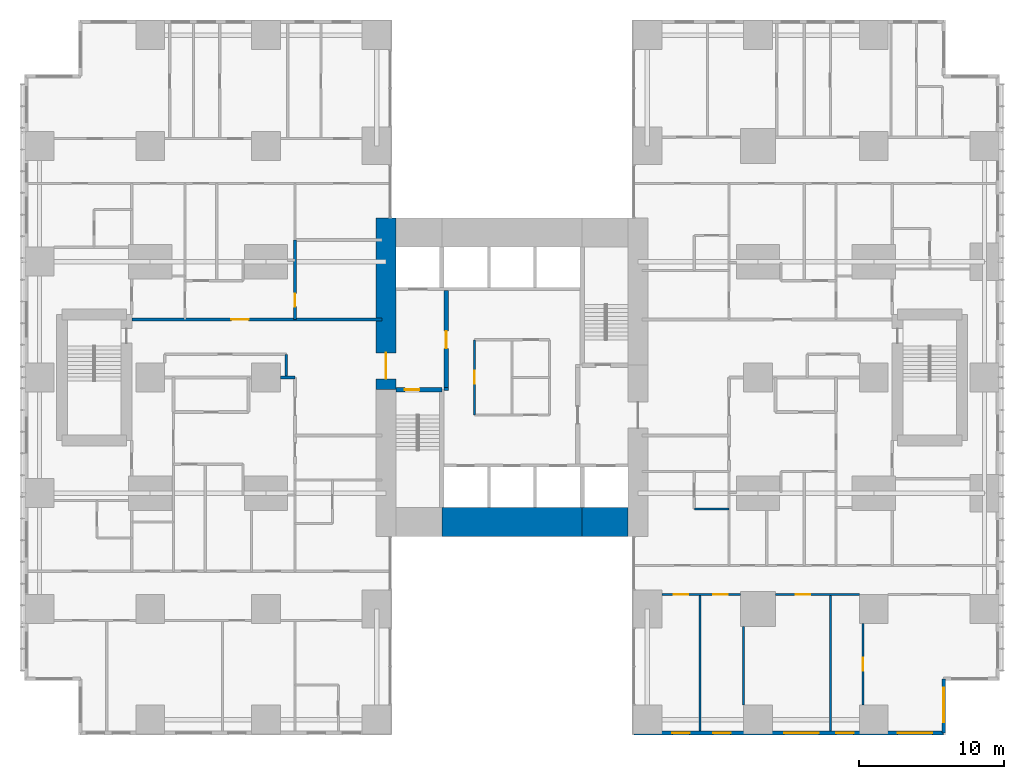
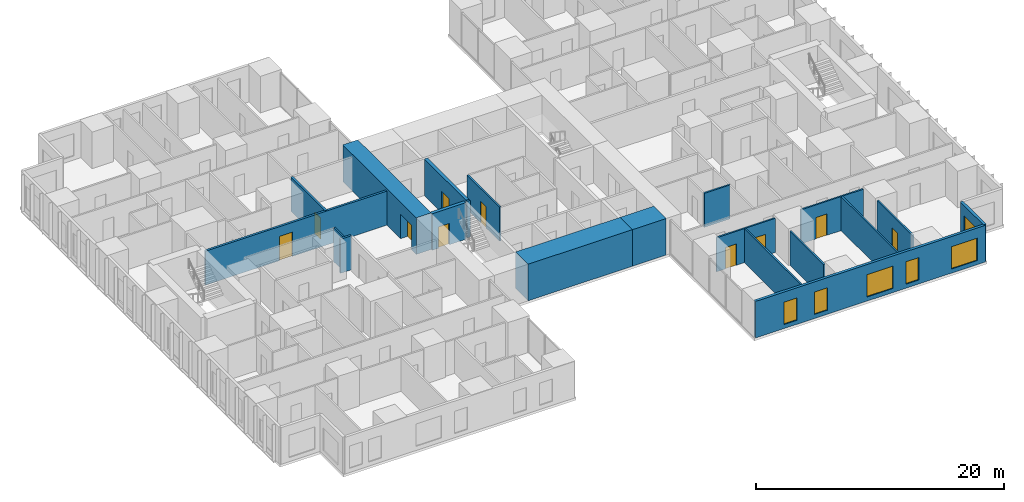
# One storey, part 14 of 21: 20 walls, 10 doors, 6 windows, 16 openings.
"""IFC4 building model written with IfcOpenShell, lengths in metres."""

from ifc_helpers import new_model, si_unit, direction, frame, frame_2d, origin, place, context, subcontext, project, spatial, rectangle, extrude, material, layer, layer_set, type_object, element, fill, save


model = new_model("IFC4")

# Units and contexts
model_context = context("Model", 3, precision=1e-05, world=origin(), true_north=direction((0.0, 1.0)))
body_context = subcontext(model_context, "Body", "Model", "MODEL_VIEW")
ifc_project = project(units=[si_unit("LENGTHUNIT", "METRE"), si_unit("AREAUNIT", "SQUARE_METRE"), si_unit("VOLUMEUNIT", "CUBIC_METRE"), si_unit("PLANEANGLEUNIT", "RADIAN"), si_unit("MASSUNIT", "GRAM", prefix="KILO")], contexts=[model_context])

# Site, building, storey
site_placement = place(None, origin())
site = spatial("IfcSite", under=ifc_project, at=site_placement, CompositionType="ELEMENT")
building_placement = place(site_placement, origin())
building = spatial("IfcBuilding", under=site, at=building_placement, Name="Cleftline Residences", CompositionType="ELEMENT")
storey_placement = place(building_placement, frame((0.0, 0.0, 161.0)))
storey = spatial("IfcBuildingStorey", under=building, at=storey_placement, Name="L42", CompositionType="ELEMENT", Elevation=161.0)

# Wall, opening, door
ifc_material_1 = material(Name="Concrete B70", Category="concrete")
ifc_layer_1 = layer(ifc_material_1, 1.39990234375)
ifc_layer_set_1 = layer_set([ifc_layer_1], Name="CORE WALL 1400")
wall_type_1 = type_object("IfcWallType", Name="CORE WALL 1400", PredefinedType="SHEAR", material=ifc_layer_set_1)
wall_1_placement = place(storey_placement, frame((24.300048828125, 23.14990234375, 0.0), z_axis=(0.0, 0.0, 1.0), x_axis=(0.0, 1.0, 0.0)))
wall_1 = element("IfcWall", 1, at=wall_1_placement, inside=storey, type_object=wall_type_1, Name="Core wall W", PredefinedType="SHEAR", context=body_context, shape_type="SweptSolid", body=[
    extrude(rectangle(XDim=11.85009765625, YDim=1.39990234375, at=frame_2d((5.925048828125, 0.0))), origin(), (0.0, 0.0, 1.0), 3.60009765625),
])
opening_1_placement = place(wall_1_placement, frame((0.75, 0.0, 0.0)))
opening_1 = element("IfcOpeningElement", 2, at=opening_1_placement, cuts=wall_1, Name="Opening D7", PredefinedType="OPENING", context=body_context, shape_type="SweptSolid", body=[
    extrude(rectangle(XDim=1.800048828125, YDim=2.39990234375, at=frame_2d((0.89990234375, 1.199951171875))), frame((0.0, 0.7099609375, 0.0), z_axis=(0.0, -1.0, 0.0), x_axis=(1.0, 0.0, 0.0)), (0.0, 0.0, 1.0), 1.419921875),
])
ifc_material_2 = material(Name="Steel", Category="steel")
door_type_1 = type_object("IfcDoorType", Name="WING DOOR 1800X2400", OperationType="DOUBLE_DOOR_DOUBLE_SWING", PredefinedType="DOOR", material=ifc_material_2)
door_1_placement = place(opening_1_placement, origin())
door_1 = element("IfcDoor", 3, at=door_1_placement, inside=storey, type_object=door_type_1, Name="West wing door", OperationType="DOUBLE_DOOR_DOUBLE_SWING", OverallHeight=2.39990234375, OverallWidth=1.800048828125, PredefinedType="DOOR", context=body_context, shape_type="SweptSolid", body=[
    extrude(rectangle(XDim=1.800048828125, YDim=2.39990234375, at=frame_2d((0.89990234375, 1.199951171875))), frame((0.0, 0.02490234375, 0.0), z_axis=(0.0, -1.0, 0.0), x_axis=(1.0, 0.0, 0.0)), (0.0, 0.0, 1.0), 0.050048828125),
])
fill(opening_1, door_1)

# Walls
ifc_material_3 = material(Name="Concrete B70", Category="concrete")
ifc_layer_2 = layer(ifc_material_3, 2.0)
ifc_layer_set_2 = layer_set([ifc_layer_2], Name="CORE WALL 2000")
wall_type_2 = type_object("IfcWallType", Name="CORE WALL 2000", PredefinedType="SHEAR", material=ifc_layer_set_2)
wall_2_placement = place(storey_placement, frame((28.14990234375, 14.0, 0.0), z_axis=(0.0, 0.0, 1.0), x_axis=(1.0, 0.0, 0.0)))
element("IfcWall", 4, at=wall_2_placement, inside=storey, type_object=wall_type_2, Name="Core wall S2", PredefinedType="SHEAR", context=body_context, shape_type="SweptSolid", body=[
    extrude(rectangle(XDim=9.7001953125, YDim=2.0, at=frame_2d((4.85009765625, 0.0))), origin(), (0.0, 0.0, 1.0), 3.60009765625),
])
wall_3_placement = place(storey_placement, frame((37.85009765625, 14.0, 0.0), z_axis=(0.0, 0.0, 1.0), x_axis=(1.0, 0.0, 0.0)))
element("IfcWall", 5, at=wall_3_placement, inside=storey, type_object=wall_type_2, Name="Core wall S3", PredefinedType="SHEAR", context=body_context, shape_type="SweptSolid", body=[
    extrude(rectangle(XDim=3.14990234375, YDim=2.0, at=frame_2d((1.574951171875, 0.0))), origin(), (0.0, 0.0, 1.0), 3.60009765625),
])

# Wall, opening, door
ifc_material_4 = material(Name="Concrete B70", Category="concrete")
ifc_layer_3 = layer(ifc_material_4, 0.300048828125)
ifc_layer_set_3 = layer_set([ifc_layer_3], Name="CORE WALL 300")
wall_type_3 = type_object("IfcWallType", Name="CORE WALL 300", PredefinedType="SHEAR", material=ifc_layer_set_3)
wall_4_placement = place(storey_placement, frame((25.0, 23.14990234375, 0.0), z_axis=(0.0, 0.0, 1.0), x_axis=(1.0, 0.0, 0.0)))
wall_4 = element("IfcWall", 6, at=wall_4_placement, inside=storey, type_object=wall_type_3, Name="Core wall SA-N", PredefinedType="SHEAR", context=body_context, shape_type="SweptSolid", body=[
    extrude(rectangle(XDim=3.14990234375, YDim=0.300048828125, at=frame_2d((1.574951171875, 0.0))), origin(), (0.0, 0.0, 1.0), 3.60009765625),
])
opening_2_placement = place(wall_4_placement, frame((0.60009765625, 0.0, 0.0)))
opening_2 = element("IfcOpeningElement", 7, at=opening_2_placement, cuts=wall_4, Name="Opening D5", PredefinedType="OPENING", context=body_context, shape_type="SweptSolid", body=[
    extrude(rectangle(XDim=1.0, YDim=2.10009765625, at=frame_2d((0.5, 1.050048828125))), frame((0.0, 0.159912109375, 0.0), z_axis=(0.0, -1.0, 0.0), x_axis=(1.0, 0.0, 0.0)), (0.0, 0.0, 1.0), 0.320068359375),
])
ifc_material_5 = material(Name="Steel", Category="steel")
door_type_2 = type_object("IfcDoorType", Name="STAIR DOOR 1000X2100", OperationType="SINGLE_SWING_LEFT", PredefinedType="DOOR", material=ifc_material_5)
door_2_placement = place(opening_2_placement, origin())
door_2 = element("IfcDoor", 8, at=door_2_placement, inside=storey, type_object=door_type_2, Name="Stair A door", OperationType="SINGLE_SWING_RIGHT", OverallHeight=2.10009765625, OverallWidth=1.0, PredefinedType="DOOR", context=body_context, shape_type="SweptSolid", body=[
    extrude(rectangle(XDim=1.0, YDim=2.10009765625, at=frame_2d((0.5, 1.050048828125))), frame((0.0, 0.02490234375, 0.0), z_axis=(0.0, -1.0, 0.0), x_axis=(1.0, 0.0, 0.0)), (0.0, 0.0, 1.0), 0.050048828125),
])
fill(opening_2, door_2)

# Wall, openings, windows
ifc_material_6 = material(Name="Rendered reinforced concrete blockwork", Category="masonry")
ifc_layer_4 = layer(ifc_material_6, 0.25)
ifc_layer_set_4 = layer_set([ifc_layer_4], Name="EXTERNAL WALL 250")
wall_type_4 = type_object("IfcWallType", Name="EXTERNAL WALL 250", PredefinedType="SOLIDWALL", material=ifc_layer_set_4)
wall_5_placement = place(storey_placement, frame((41.425048828125, -0.574951171875, 0.0), z_axis=(0.0, 0.0, 1.0), x_axis=(1.0, 0.0, 0.0)))
wall_5 = element("IfcWall", 9, at=wall_5_placement, inside=storey, type_object=wall_type_4, Name="External wall", PredefinedType="SOLIDWALL", context=body_context, shape_type="SweptSolid", body=[
    extrude(rectangle(XDim=21.39990234375, YDim=0.25, at=frame_2d((10.699951171875, 0.0))), origin(), (0.0, 0.0, 1.0), 3.60009765625),
])
opening_3_placement = place(wall_5_placement, frame((2.64990234375, 0.0, 0.39990234375)))
opening_3 = element("IfcOpeningElement", 10, at=opening_3_placement, cuts=wall_5, Name="Opening W11", PredefinedType="OPENING", context=body_context, shape_type="SweptSolid", body=[
    extrude(rectangle(XDim=1.199951171875, YDim=2.199951171875, at=frame_2d((0.60009765625, 1.10009765625))), frame((0.0, 0.135009765625, 0.0), z_axis=(0.0, -1.0, 0.0), x_axis=(1.0, 0.0, 0.0)), (0.0, 0.0, 1.0), 0.27001953125),
])
opening_4_placement = place(wall_5_placement, frame((5.47509765625, 0.0, 0.39990234375)))
opening_4 = element("IfcOpeningElement", 11, at=opening_4_placement, cuts=wall_5, Name="Opening W11", PredefinedType="OPENING", context=body_context, shape_type="SweptSolid", body=[
    extrude(rectangle(XDim=1.199951171875, YDim=2.199951171875, at=frame_2d((0.60009765625, 1.10009765625))), frame((0.0, 0.135009765625, 0.0), z_axis=(0.0, -1.0, 0.0), x_axis=(1.0, 0.0, 0.0)), (0.0, 0.0, 1.0), 0.27001953125),
])
opening_5_placement = place(wall_5_placement, frame((10.375, 0.0, 0.39990234375)))
opening_5 = element("IfcOpeningElement", 12, at=opening_5_placement, cuts=wall_5, Name="Opening W12", PredefinedType="OPENING", context=body_context, shape_type="SweptSolid", body=[
    extrude(rectangle(XDim=2.39990234375, YDim=2.199951171875, at=frame_2d((1.199951171875, 1.10009765625))), frame((0.0, 0.135009765625, 0.0), z_axis=(0.0, -1.0, 0.0), x_axis=(1.0, 0.0, 0.0)), (0.0, 0.0, 1.0), 0.27001953125),
])
opening_6_placement = place(wall_5_placement, frame((13.97509765625, 0.0, 0.39990234375)))
opening_6 = element("IfcOpeningElement", 13, at=opening_6_placement, cuts=wall_5, Name="Opening W11", PredefinedType="OPENING", context=body_context, shape_type="SweptSolid", body=[
    extrude(rectangle(XDim=1.199951171875, YDim=2.199951171875, at=frame_2d((0.60009765625, 1.10009765625))), frame((0.0, 0.135009765625, 0.0), z_axis=(0.0, -1.0, 0.0), x_axis=(1.0, 0.0, 0.0)), (0.0, 0.0, 1.0), 0.27001953125),
])
opening_7_placement = place(wall_5_placement, frame((18.22509765625, 0.0, 0.39990234375)))
opening_7 = element("IfcOpeningElement", 14, at=opening_7_placement, cuts=wall_5, Name="Opening W12", PredefinedType="OPENING", context=body_context, shape_type="SweptSolid", body=[
    extrude(rectangle(XDim=2.39990234375, YDim=2.199951171875, at=frame_2d((1.199951171875, 1.10009765625))), frame((0.0, 0.135009765625, 0.0), z_axis=(0.0, -1.0, 0.0), x_axis=(1.0, 0.0, 0.0)), (0.0, 0.0, 1.0), 0.27001953125),
])
ifc_material_7 = material(Name="Aluminium frame, clear double glazing", Category="aluminium")
window_type_1 = type_object("IfcWindowType", Name="WINDOW 1200X2200", PartitioningType="DOUBLE_PANEL_VERTICAL", PredefinedType="WINDOW", material=ifc_material_7)
window_1_placement = place(opening_3_placement, origin())
window_1 = element("IfcWindow", 15, at=window_1_placement, inside=storey, type_object=window_type_1, Name="Window", OverallHeight=2.199951171875, OverallWidth=1.199951171875, PartitioningType="SINGLE_PANEL", PredefinedType="WINDOW", context=body_context, shape_type="SweptSolid", body=[
    extrude(rectangle(XDim=1.199951171875, YDim=2.199951171875, at=frame_2d((0.60009765625, 1.10009765625))), frame((0.0, 0.030029296875, 0.0), z_axis=(0.0, -1.0, 0.0), x_axis=(1.0, 0.0, 0.0)), (0.0, 0.0, 1.0), 0.06005859375),
])
fill(opening_3, window_1)
window_2_placement = place(opening_4_placement, origin())
window_2 = element("IfcWindow", 16, at=window_2_placement, inside=storey, type_object=window_type_1, Name="Window", OverallHeight=2.199951171875, OverallWidth=1.199951171875, PartitioningType="SINGLE_PANEL", PredefinedType="WINDOW", context=body_context, shape_type="SweptSolid", body=[
    extrude(rectangle(XDim=1.199951171875, YDim=2.199951171875, at=frame_2d((0.60009765625, 1.10009765625))), frame((0.0, 0.030029296875, 0.0), z_axis=(0.0, -1.0, 0.0), x_axis=(1.0, 0.0, 0.0)), (0.0, 0.0, 1.0), 0.06005859375),
])
fill(opening_4, window_2)
window_3_placement = place(opening_6_placement, origin())
window_3 = element("IfcWindow", 17, at=window_3_placement, inside=storey, type_object=window_type_1, Name="Window", OverallHeight=2.199951171875, OverallWidth=1.199951171875, PartitioningType="SINGLE_PANEL", PredefinedType="WINDOW", context=body_context, shape_type="SweptSolid", body=[
    extrude(rectangle(XDim=1.199951171875, YDim=2.199951171875, at=frame_2d((0.60009765625, 1.10009765625))), frame((0.0, 0.030029296875, 0.0), z_axis=(0.0, -1.0, 0.0), x_axis=(1.0, 0.0, 0.0)), (0.0, 0.0, 1.0), 0.06005859375),
])
fill(opening_6, window_3)
ifc_material_8 = material(Name="Aluminium frame, clear double glazing", Category="aluminium")
window_type_2 = type_object("IfcWindowType", Name="WINDOW 2400X2200", PartitioningType="DOUBLE_PANEL_VERTICAL", PredefinedType="WINDOW", material=ifc_material_8)
window_4_placement = place(opening_5_placement, origin())
window_4 = element("IfcWindow", 18, at=window_4_placement, inside=storey, type_object=window_type_2, Name="Window", OverallHeight=2.199951171875, OverallWidth=2.39990234375, PartitioningType="SINGLE_PANEL", PredefinedType="WINDOW", context=body_context, shape_type="SweptSolid", body=[
    extrude(rectangle(XDim=2.39990234375, YDim=2.199951171875, at=frame_2d((1.199951171875, 1.10009765625))), frame((0.0, 0.030029296875, 0.0), z_axis=(0.0, -1.0, 0.0), x_axis=(1.0, 0.0, 0.0)), (0.0, 0.0, 1.0), 0.06005859375),
])
fill(opening_5, window_4)
window_5_placement = place(opening_7_placement, origin())
window_5 = element("IfcWindow", 19, at=window_5_placement, inside=storey, type_object=window_type_2, Name="Window", OverallHeight=2.199951171875, OverallWidth=2.39990234375, PartitioningType="SINGLE_PANEL", PredefinedType="WINDOW", context=body_context, shape_type="SweptSolid", body=[
    extrude(rectangle(XDim=2.39990234375, YDim=2.199951171875, at=frame_2d((1.199951171875, 1.10009765625))), frame((0.0, 0.030029296875, 0.0), z_axis=(0.0, -1.0, 0.0), x_axis=(1.0, 0.0, 0.0)), (0.0, 0.0, 1.0), 0.06005859375),
])
fill(opening_7, window_5)

# Wall, opening, window
wall_6_placement = place(storey_placement, frame((62.824951171875, -0.574951171875, 0.0), z_axis=(0.0, 0.0, 1.0), x_axis=(0.0, 1.0, 0.0)))
wall_6 = element("IfcWall", 20, at=wall_6_placement, inside=storey, type_object=wall_type_4, Name="External wall", PredefinedType="SOLIDWALL", context=body_context, shape_type="SweptSolid", body=[
    extrude(rectangle(XDim=3.75, YDim=0.25, at=frame_2d((1.875, 0.0))), origin(), (0.0, 0.0, 1.0), 3.60009765625),
])
opening_8_placement = place(wall_6_placement, frame((0.737548828125, 0.0, 0.39990234375)))
opening_8 = element("IfcOpeningElement", 21, at=opening_8_placement, cuts=wall_6, Name="Opening W12", PredefinedType="OPENING", context=body_context, shape_type="SweptSolid", body=[
    extrude(rectangle(XDim=2.39990234375, YDim=2.199951171875, at=frame_2d((1.199951171875, 1.10009765625))), frame((0.0, 0.135009765625, 0.0), z_axis=(0.0, -1.0, 0.0), x_axis=(1.0, 0.0, 0.0)), (0.0, 0.0, 1.0), 0.27001953125),
])
window_6_placement = place(opening_8_placement, origin())
window_6 = element("IfcWindow", 22, at=window_6_placement, inside=storey, type_object=window_type_2, Name="Window", OverallHeight=2.199951171875, OverallWidth=2.39990234375, PartitioningType="SINGLE_PANEL", PredefinedType="WINDOW", context=body_context, shape_type="SweptSolid", body=[
    extrude(rectangle(XDim=2.39990234375, YDim=2.199951171875, at=frame_2d((1.199951171875, 1.10009765625))), frame((0.0, 0.030029296875, 0.0), z_axis=(0.0, -1.0, 0.0), x_axis=(1.0, 0.0, 0.0)), (0.0, 0.0, 1.0), 0.06005859375),
])
fill(opening_8, window_6)

# Wall
ifc_material_9 = material(Name="Concrete blockwork, fire rated", Category="masonry")
ifc_layer_5 = layer(ifc_material_9, 0.199951171875)
ifc_layer_set_5 = layer_set([ifc_layer_5], Name="FIRE WALL 200")
wall_type_5 = type_object("IfcWallType", Name="FIRE WALL 200", PredefinedType="PARTITIONING", material=ifc_layer_set_5)
wall_7_placement = place(storey_placement, frame((17.0, 24.0, 0.0), z_axis=(0.0, 0.0, 1.0), x_axis=(1.0, 0.0, 0.0)))
element("IfcWall", 23, at=wall_7_placement, inside=storey, type_object=wall_type_5, Name="Fire separating wall", PredefinedType="PARTITIONING", context=body_context, shape_type="SweptSolid", body=[
    extrude(rectangle(XDim=1.0, YDim=0.199951171875, at=frame_2d((0.5, 0.0))), origin(), (0.0, 0.0, 1.0), 3.35009765625),
])

# Wall, opening, door
wall_8_placement = place(storey_placement, frame((6.72509765625, 28.0, 0.0), z_axis=(0.0, 0.0, 1.0), x_axis=(1.0, 0.0, 0.0)))
wall_8 = element("IfcWall", 24, at=wall_8_placement, inside=storey, type_object=wall_type_5, Name="Fire separating wall", PredefinedType="PARTITIONING", context=body_context, shape_type="SweptSolid", body=[
    extrude(rectangle(XDim=17.27490234375, YDim=0.199951171875, at=frame_2d((8.637451171875, 0.0))), origin(), (0.0, 0.0, 1.0), 3.35009765625),
])
opening_9_placement = place(wall_8_placement, frame((6.875, 0.0, 0.0)))
opening_9 = element("IfcOpeningElement", 25, at=opening_9_placement, cuts=wall_8, Name="Opening D4", PredefinedType="OPENING", context=body_context, shape_type="SweptSolid", body=[
    extrude(rectangle(XDim=1.199951171875, YDim=2.39990234375, at=frame_2d((0.60009765625, 1.199951171875))), frame((0.0, 0.10986328125, 0.0), z_axis=(0.0, -1.0, 0.0), x_axis=(1.0, 0.0, 0.0)), (0.0, 0.0, 1.0), 0.219970703125),
])
ifc_material_10 = material(Name="Timber veneer on solid core", Category="wood")
door_type_3 = type_object("IfcDoorType", Name="APARTMENT ENTRANCE DOOR 1200X2400", OperationType="SINGLE_SWING_RIGHT", PredefinedType="DOOR", material=ifc_material_10)
door_3_placement = place(opening_9_placement, origin())
door_3 = element("IfcDoor", 26, at=door_3_placement, inside=storey, type_object=door_type_3, Name="Door to residence entrance foyer", OperationType="SINGLE_SWING_RIGHT", OverallHeight=2.39990234375, OverallWidth=1.199951171875, PredefinedType="DOOR", context=body_context, shape_type="SweptSolid", body=[
    extrude(rectangle(XDim=1.199951171875, YDim=2.39990234375, at=frame_2d((0.60009765625, 1.199951171875))), frame((0.0, 0.02490234375, 0.0), z_axis=(0.0, -1.0, 0.0), x_axis=(1.0, 0.0, 0.0)), (0.0, 0.0, 1.0), 0.050048828125),
])
fill(opening_9, door_3)

wall_9_placement = place(storey_placement, frame((18.0, 28.0, 0.0), z_axis=(0.0, 0.0, 1.0), x_axis=(0.0, 1.0, 0.0)))
wall_9 = element("IfcWall", 27, at=wall_9_placement, inside=storey, type_object=wall_type_5, Name="Fire separating wall", PredefinedType="PARTITIONING", context=body_context, shape_type="SweptSolid", body=[
    extrude(rectangle(XDim=5.5, YDim=0.199951171875, at=frame_2d((2.75, 0.0))), origin(), (0.0, 0.0, 1.0), 3.35009765625),
])
opening_10_placement = place(wall_9_placement, frame((0.887451171875, 0.0, 0.0)))
opening_10 = element("IfcOpeningElement", 28, at=opening_10_placement, cuts=wall_9, Name="Opening D1F30", PredefinedType="OPENING", context=body_context, shape_type="SweptSolid", body=[
    extrude(rectangle(XDim=0.89990234375, YDim=2.10009765625, at=frame_2d((0.449951171875, 1.050048828125))), frame((0.0, 0.10986328125, 0.0), z_axis=(0.0, -1.0, 0.0), x_axis=(1.0, 0.0, 0.0)), (0.0, 0.0, 1.0), 0.219970703125),
])
ifc_material_11 = material(Name="Timber veneer on solid core", Category="wood")
door_type_4 = type_object("IfcDoorType", Name="DOOR 900X2100 EI 30", OperationType="SINGLE_SWING_LEFT", PredefinedType="DOOR", material=ifc_material_11)
door_4_placement = place(opening_10_placement, origin())
door_4 = element("IfcDoor", 29, at=door_4_placement, inside=storey, type_object=door_type_4, Name="Door to utility room and wc", OperationType="SINGLE_SWING_RIGHT", OverallHeight=2.10009765625, OverallWidth=0.89990234375, PredefinedType="DOOR", context=body_context, shape_type="SweptSolid", body=[
    extrude(rectangle(XDim=0.89990234375, YDim=2.10009765625, at=frame_2d((0.449951171875, 1.050048828125))), frame((0.0, 0.02490234375, 0.0), z_axis=(0.0, -1.0, 0.0), x_axis=(1.0, 0.0, 0.0)), (0.0, 0.0, 1.0), 0.050048828125),
])
fill(opening_10, door_4)

# Wall
wall_10_placement = place(storey_placement, frame((28.300048828125, 23.199951171875, 0.0), z_axis=(0.0, 0.0, 1.0), x_axis=(1.0, 0.0, 0.0)))
element("IfcWall", 30, at=wall_10_placement, inside=storey, type_object=wall_type_5, Name="Fire separating wall", PredefinedType="PARTITIONING", context=body_context, shape_type="SweptSolid", body=[
    extrude(rectangle(XDim=0.300048828125, YDim=0.199951171875, at=frame_2d((0.14990234375, 0.0))), origin(), (0.0, 0.0, 1.0), 3.60009765625),
])

# Wall, openings, doors
ifc_material_12 = material(Name="Gypsum board on steel studs", Category="steel")
ifc_layer_6 = layer(ifc_material_12, 0.14990234375)
ifc_layer_set_6 = layer_set([ifc_layer_6], Name="PARTITION 150")
wall_type_6 = type_object("IfcWallType", Name="PARTITION 150", PredefinedType="PARTITIONING", material=ifc_layer_set_6)
wall_11_placement = place(storey_placement, frame((43.35009765625, 9.0, 0.0), z_axis=(0.0, 0.0, 1.0), x_axis=(1.0, 0.0, 0.0)))
wall_11 = element("IfcWall", 31, at=wall_11_placement, inside=storey, type_object=wall_type_6, Name="Partition", PredefinedType="PARTITIONING", context=body_context, shape_type="SweptSolid", body=[
    extrude(rectangle(XDim=5.449951171875, YDim=0.14990234375, at=frame_2d((2.72509765625, 0.0))), origin(), (0.0, 0.0, 1.0), 3.35009765625),
])
opening_11_placement = place(wall_11_placement, frame((3.550048828125, 0.0, 0.0)))
opening_11 = element("IfcOpeningElement", 32, at=opening_11_placement, cuts=wall_11, Name="Opening D2", PredefinedType="OPENING", context=body_context, shape_type="SweptSolid", body=[
    extrude(rectangle(XDim=1.0, YDim=2.10009765625, at=frame_2d((0.5, 1.050048828125))), frame((0.0, 0.0849609375, 0.0), z_axis=(0.0, -1.0, 0.0), x_axis=(1.0, 0.0, 0.0)), (0.0, 0.0, 1.0), 0.169921875),
])
opening_12_placement = place(wall_11_placement, frame((0.824951171875, 0.0, 0.0)))
opening_12 = element("IfcOpeningElement", 33, at=opening_12_placement, cuts=wall_11, Name="Opening D2", PredefinedType="OPENING", context=body_context, shape_type="SweptSolid", body=[
    extrude(rectangle(XDim=1.0, YDim=2.10009765625, at=frame_2d((0.5, 1.050048828125))), frame((0.0, 0.0849609375, 0.0), z_axis=(0.0, -1.0, 0.0), x_axis=(1.0, 0.0, 0.0)), (0.0, 0.0, 1.0), 0.169921875),
])
ifc_material_13 = material(Name="Timber veneer on solid core", Category="wood")
door_type_5 = type_object("IfcDoorType", Name="DOOR 1000X2100", OperationType="SINGLE_SWING_LEFT", PredefinedType="DOOR", material=ifc_material_13)
door_5_placement = place(opening_11_placement, origin())
door_5 = element("IfcDoor", 34, at=door_5_placement, inside=storey, type_object=door_type_5, Name="Door to breakfast room", OperationType="SINGLE_SWING_LEFT", OverallHeight=2.10009765625, OverallWidth=1.0, PredefinedType="DOOR", context=body_context, shape_type="SweptSolid", body=[
    extrude(rectangle(XDim=1.0, YDim=2.10009765625, at=frame_2d((0.5, 1.050048828125))), frame((0.0, 0.02490234375, 0.0), z_axis=(0.0, -1.0, 0.0), x_axis=(1.0, 0.0, 0.0)), (0.0, 0.0, 1.0), 0.050048828125),
])
fill(opening_11, door_5)
door_6_placement = place(opening_12_placement, origin())
door_6 = element("IfcDoor", 35, at=door_6_placement, inside=storey, type_object=door_type_5, Name="Door to show kitchen", OperationType="SINGLE_SWING_RIGHT", OverallHeight=2.10009765625, OverallWidth=1.0, PredefinedType="DOOR", context=body_context, shape_type="SweptSolid", body=[
    extrude(rectangle(XDim=1.0, YDim=2.10009765625, at=frame_2d((0.5, 1.050048828125))), frame((0.0, 0.02490234375, 0.0), z_axis=(0.0, -1.0, 0.0), x_axis=(1.0, 0.0, 0.0)), (0.0, 0.0, 1.0), 0.050048828125),
])
fill(opening_12, door_6)

# Wall, opening, door
wall_12_placement = place(storey_placement, frame((51.199951171875, 9.0, 0.0), z_axis=(0.0, 0.0, 1.0), x_axis=(1.0, 0.0, 0.0)))
wall_12 = element("IfcWall", 36, at=wall_12_placement, inside=storey, type_object=wall_type_6, Name="Partition", PredefinedType="PARTITIONING", context=body_context, shape_type="SweptSolid", body=[
    extrude(rectangle(XDim=5.800048828125, YDim=0.14990234375, at=frame_2d((2.89990234375, 0.0))), origin(), (0.0, 0.0, 1.0), 3.35009765625),
])
opening_13_placement = place(wall_12_placement, frame((1.39990234375, 0.0, 0.0)))
opening_13 = element("IfcOpeningElement", 37, at=opening_13_placement, cuts=wall_12, Name="Opening D2", PredefinedType="OPENING", context=body_context, shape_type="SweptSolid", body=[
    extrude(rectangle(XDim=1.0, YDim=2.10009765625, at=frame_2d((0.5, 1.050048828125))), frame((0.0, 0.0849609375, 0.0), z_axis=(0.0, -1.0, 0.0), x_axis=(1.0, 0.0, 0.0)), (0.0, 0.0, 1.0), 0.169921875),
])
door_7_placement = place(opening_13_placement, origin())
door_7 = element("IfcDoor", 38, at=door_7_placement, inside=storey, type_object=door_type_5, Name="Door to dining room", OperationType="SINGLE_SWING_RIGHT", OverallHeight=2.10009765625, OverallWidth=1.0, PredefinedType="DOOR", context=body_context, shape_type="SweptSolid", body=[
    extrude(rectangle(XDim=1.0, YDim=2.10009765625, at=frame_2d((0.5, 1.050048828125))), frame((0.0, 0.02490234375, 0.0), z_axis=(0.0, -1.0, 0.0), x_axis=(1.0, 0.0, 0.0)), (0.0, 0.0, 1.0), 0.050048828125),
])
fill(opening_13, door_7)

# Walls
wall_13_placement = place(storey_placement, frame((45.60009765625, 14.89990234375, 0.0), z_axis=(0.0, 0.0, 1.0), x_axis=(1.0, 0.0, 0.0)))
element("IfcWall", 39, at=wall_13_placement, inside=storey, type_object=wall_type_6, Name="Partition", PredefinedType="PARTITIONING", context=body_context, shape_type="SweptSolid", body=[
    extrude(rectangle(XDim=2.39990234375, YDim=0.14990234375, at=frame_2d((1.199951171875, 0.0))), origin(), (0.0, 0.0, 1.0), 3.35009765625),
])
wall_14_placement = place(storey_placement, frame((17.39990234375, 24.0, 0.0), z_axis=(0.0, 0.0, 1.0), x_axis=(0.0, 1.0, 0.0)))
element("IfcWall", 40, at=wall_14_placement, inside=storey, type_object=wall_type_6, Name="Partition", PredefinedType="PARTITIONING", context=body_context, shape_type="SweptSolid", body=[
    extrude(rectangle(XDim=1.60009765625, YDim=0.14990234375, at=frame_2d((0.800048828125, 0.0))), origin(), (0.0, 0.0, 1.0), 3.35009765625),
])
wall_15_placement = place(storey_placement, frame((46.0, -0.449951171875, 0.0), z_axis=(0.0, 0.0, 1.0), x_axis=(0.0, 1.0, 0.0)))
element("IfcWall", 41, at=wall_15_placement, inside=storey, type_object=wall_type_6, Name="Partition", PredefinedType="PARTITIONING", context=body_context, shape_type="SweptSolid", body=[
    extrude(rectangle(XDim=9.449951171875, YDim=0.14990234375, at=frame_2d((4.72509765625, 0.0))), origin(), (0.0, 0.0, 1.0), 3.35009765625),
])
wall_16_placement = place(storey_placement, frame((49.0, 1.35009765625, 0.0), z_axis=(0.0, 0.0, 1.0), x_axis=(0.0, 1.0, 0.0)))
element("IfcWall", 42, at=wall_16_placement, inside=storey, type_object=wall_type_6, Name="Partition", PredefinedType="PARTITIONING", context=body_context, shape_type="SweptSolid", body=[
    extrude(rectangle(XDim=5.449951171875, YDim=0.14990234375, at=frame_2d((2.72509765625, 0.0))), origin(), (0.0, 0.0, 1.0), 3.35009765625),
])
wall_17_placement = place(storey_placement, frame((55.0, -0.449951171875, 0.0), z_axis=(0.0, 0.0, 1.0), x_axis=(0.0, 1.0, 0.0)))
element("IfcWall", 43, at=wall_17_placement, inside=storey, type_object=wall_type_6, Name="Partition", PredefinedType="PARTITIONING", context=body_context, shape_type="SweptSolid", body=[
    extrude(rectangle(XDim=9.449951171875, YDim=0.14990234375, at=frame_2d((4.72509765625, 0.0))), origin(), (0.0, 0.0, 1.0), 3.35009765625),
])

# Wall, opening, door
wall_18_placement = place(storey_placement, frame((57.25, 1.35009765625, 0.0), z_axis=(0.0, 0.0, 1.0), x_axis=(0.0, 1.0, 0.0)))
wall_18 = element("IfcWall", 44, at=wall_18_placement, inside=storey, type_object=wall_type_6, Name="Partition", PredefinedType="PARTITIONING", context=body_context, shape_type="SweptSolid", body=[
    extrude(rectangle(XDim=5.64990234375, YDim=0.14990234375, at=frame_2d((2.824951171875, 0.0))), origin(), (0.0, 0.0, 1.0), 3.35009765625),
])
opening_14_placement = place(wall_18_placement, frame((2.375, 0.0, 0.0)))
opening_14 = element("IfcOpeningElement", 45, at=opening_14_placement, cuts=wall_18, Name="Opening D1", PredefinedType="OPENING", context=body_context, shape_type="SweptSolid", body=[
    extrude(rectangle(XDim=0.89990234375, YDim=2.10009765625, at=frame_2d((0.449951171875, 1.050048828125))), frame((0.0, 0.0849609375, 0.0), z_axis=(0.0, -1.0, 0.0), x_axis=(1.0, 0.0, 0.0)), (0.0, 0.0, 1.0), 0.169921875),
])
ifc_material_14 = material(Name="Timber veneer on solid core", Category="wood")
door_type_6 = type_object("IfcDoorType", Name="DOOR 900X2100", OperationType="SINGLE_SWING_LEFT", PredefinedType="DOOR", material=ifc_material_14)
door_8_placement = place(opening_14_placement, origin())
door_8 = element("IfcDoor", 46, at=door_8_placement, inside=storey, type_object=door_type_6, Name="Door to store room", OperationType="SINGLE_SWING_LEFT", OverallHeight=2.10009765625, OverallWidth=0.89990234375, PredefinedType="DOOR", context=body_context, shape_type="SweptSolid", body=[
    extrude(rectangle(XDim=0.89990234375, YDim=2.10009765625, at=frame_2d((0.449951171875, 1.050048828125))), frame((0.0, 0.02490234375, 0.0), z_axis=(0.0, -1.0, 0.0), x_axis=(1.0, 0.0, 0.0)), (0.0, 0.0, 1.0), 0.050048828125),
])
fill(opening_14, door_8)

ifc_material_15 = material(Name="Fire-resisting gypsum board on steel studs", Category="steel")
ifc_layer_7 = layer(ifc_material_15, 0.14990234375)
ifc_layer_set_7 = layer_set([ifc_layer_7], Name="PARTITION 150 EI 60")
wall_type_7 = type_object("IfcWallType", Name="PARTITION 150 EI 60", PredefinedType="PARTITIONING", material=ifc_layer_set_7)
wall_19_placement = place(storey_placement, frame((30.39990234375, 21.39990234375, 0.0), z_axis=(0.0, 0.0, 1.0), x_axis=(0.0, 1.0, 0.0)))
wall_19 = element("IfcWall", 47, at=wall_19_placement, inside=storey, type_object=wall_type_7, Name="Core room partition", PredefinedType="PARTITIONING", context=body_context, shape_type="SweptSolid", body=[
    extrude(rectangle(XDim=5.2001953125, YDim=0.14990234375, at=frame_2d((2.60009765625, 0.0))), origin(), (0.0, 0.0, 1.0), 3.35009765625),
])
opening_15_placement = place(wall_19_placement, frame((2.14990234375, 0.0, 0.0)))
opening_15 = element("IfcOpeningElement", 48, at=opening_15_placement, cuts=wall_19, Name="Opening D1F30", PredefinedType="OPENING", context=body_context, shape_type="SweptSolid", body=[
    extrude(rectangle(XDim=0.89990234375, YDim=2.10009765625, at=frame_2d((0.449951171875, 1.050048828125))), frame((0.0, 0.0849609375, 0.0), z_axis=(0.0, -1.0, 0.0), x_axis=(1.0, 0.0, 0.0)), (0.0, 0.0, 1.0), 0.169921875),
])
door_9_placement = place(opening_15_placement, origin())
door_9 = element("IfcDoor", 49, at=door_9_placement, inside=storey, type_object=door_type_4, Name="Door to linen store", OperationType="SINGLE_SWING_LEFT", OverallHeight=2.10009765625, OverallWidth=0.89990234375, PredefinedType="DOOR", context=body_context, shape_type="SweptSolid", body=[
    extrude(rectangle(XDim=0.89990234375, YDim=2.10009765625, at=frame_2d((0.449951171875, 1.050048828125))), frame((0.0, 0.02490234375, 0.0), z_axis=(0.0, -1.0, 0.0), x_axis=(1.0, 0.0, 0.0)), (0.0, 0.0, 1.0), 0.050048828125),
])
fill(opening_15, door_9)

ifc_material_16 = material(Name="Concrete blockwork, fire rated", Category="masonry")
ifc_layer_8 = layer(ifc_material_16, 0.300048828125)
ifc_layer_set_8 = layer_set([ifc_layer_8], Name="STAIR LOBBY WALL 300")
wall_type_8 = type_object("IfcWallType", Name="STAIR LOBBY WALL 300", PredefinedType="PARTITIONING", material=ifc_layer_set_8)
wall_20_placement = place(storey_placement, frame((28.449951171875, 23.300048828125, 0.0), z_axis=(0.0, 0.0, 1.0), x_axis=(0.0, 1.0, 0.0)))
wall_20 = element("IfcWall", 50, at=wall_20_placement, inside=storey, type_object=wall_type_8, Name="Stair and lobby wall FA-E", PredefinedType="PARTITIONING", context=body_context, shape_type="SweptSolid", body=[
    extrude(rectangle(XDim=6.699951171875, YDim=0.300048828125, at=frame_2d((3.35009765625, 0.0))), origin(), (0.0, 0.0, 1.0), 3.60009765625),
])
opening_16_placement = place(wall_20_placement, frame((2.699951171875, 0.0, 0.0)))
opening_16 = element("IfcOpeningElement", 51, at=opening_16_placement, cuts=wall_20, Name="Opening D6", PredefinedType="OPENING", context=body_context, shape_type="SweptSolid", body=[
    extrude(rectangle(XDim=1.199951171875, YDim=2.10009765625, at=frame_2d((0.60009765625, 1.050048828125))), frame((0.0, 0.159912109375, 0.0), z_axis=(0.0, -1.0, 0.0), x_axis=(1.0, 0.0, 0.0)), (0.0, 0.0, 1.0), 0.320068359375),
])
ifc_material_17 = material(Name="Steel", Category="steel")
door_type_7 = type_object("IfcDoorType", Name="LOBBY DOOR 1200X2100", OperationType="SINGLE_SWING_RIGHT", PredefinedType="DOOR", material=ifc_material_17)
door_10_placement = place(opening_16_placement, origin())
door_10 = element("IfcDoor", 52, at=door_10_placement, inside=storey, type_object=door_type_7, Name="Firefighting lobby A door", OperationType="SINGLE_SWING_RIGHT", OverallHeight=2.10009765625, OverallWidth=1.199951171875, PredefinedType="DOOR", context=body_context, shape_type="SweptSolid", body=[
    extrude(rectangle(XDim=1.199951171875, YDim=2.10009765625, at=frame_2d((0.60009765625, 1.050048828125))), frame((0.0, 0.02490234375, 0.0), z_axis=(0.0, -1.0, 0.0), x_axis=(1.0, 0.0, 0.0)), (0.0, 0.0, 1.0), 0.050048828125),
])
fill(opening_16, door_10)

save(model, "model.ifc")
